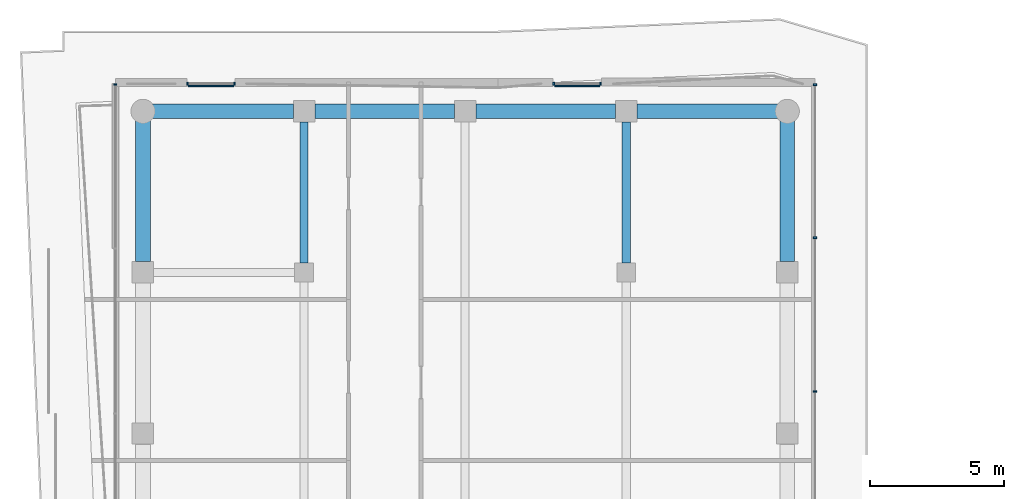
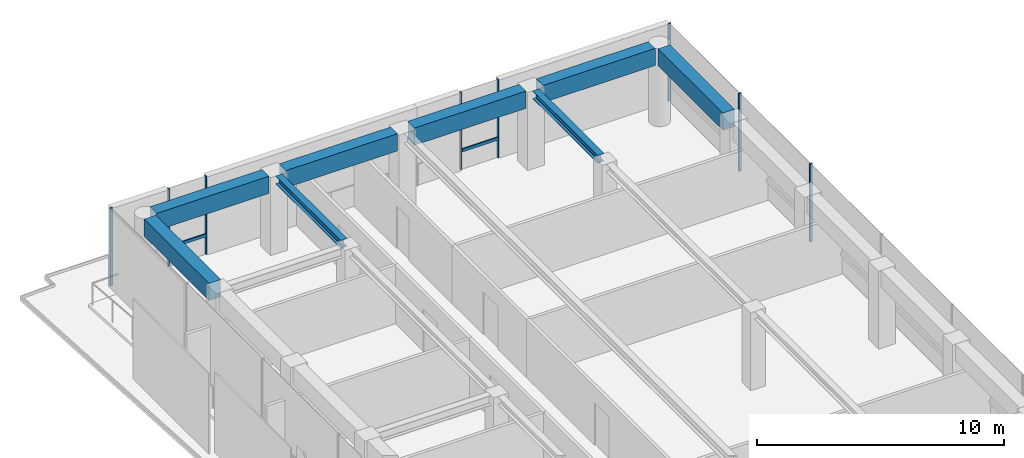
# One storey, part 15 of 21: 10 members, 8 beams, 4 elements without a shape of their own.
"""IFC4 building model written with IfcOpenShell, lengths in metres."""

import ifcopenshell
import ifcopenshell.guid

model = None  # the IFC model being written
_history = None  # IfcOwnerHistory: only IFC2X3 demands one
_inside = {}  # id of a spatial element -> (the spatial element, [elements in it])
_under = {}  # id of a project, library or spatial element -> (it, [spatial elements below it])
_declared = {}  # id of a project -> (the project, [libraries it declares])
_typed = {}  # id of a type object -> (the type object, [elements of that type])
_made_of = {}  # id of a material, layer set ... -> (it, [elements and type objects made of it])


def new_model(schema):
    """Start an empty IFC model of exactly this schema.

    Asked for "IFC4X3", IfcOpenShell would pick the latest addendum, in which some entities
    have other attributes; the version numbers below select the first issue.
    IFC2X3 requires an IfcOwnerHistory on every rooted entity: one is made here for all.
    """
    global model, _history
    if schema == "IFC4X3":
        model = ifcopenshell.file(schema_version=(4, 3, 0, 0))
    else:
        model = ifcopenshell.file(schema=schema)
    _inside.clear()
    _under.clear()
    _declared.clear()
    _typed.clear()
    _made_of.clear()
    _history = None
    if model.schema == "IFC2X3":
        org = make("IfcOrganization", Name="unknown")
        user = make(
            "IfcPersonAndOrganization",
            ThePerson=make("IfcPerson", FamilyName="unknown"),
            TheOrganization=org,
        )
        app = make(
            "IfcApplication",
            ApplicationDeveloper=org,
            Version="unknown",
            ApplicationFullName="unknown",
            ApplicationIdentifier="unknown",
        )
        _history = make(
            "IfcOwnerHistory",
            OwningUser=user,
            OwningApplication=app,
            ChangeAction="ADDED",
            CreationDate=0,
        )
    return model


def make(cls, **values):
    """One entity of the class cls with the attributes given. An attribute that is None is left unset."""
    return model.create_entity(
        cls, **{name: value for name, value in values.items() if value is not None}
    )


def rooted(cls, **values):
    """An entity with a GlobalId (a new one), such as an element, a storey or a relation."""
    return make(cls, GlobalId=ifcopenshell.guid.new(), OwnerHistory=_history, **values)


def si_unit(unit_type, name, prefix=None):
    """IfcSIUnit, for example si_unit("LENGTHUNIT", "METRE", prefix="MILLI")."""
    return make("IfcSIUnit", UnitType=unit_type, Prefix=prefix, Name=name)


def assignment(units):
    """IfcUnitAssignment: the units of a project."""
    return None if units is None else make("IfcUnitAssignment", Units=units)


def point(xyz):
    """IfcCartesianPoint."""
    return None if xyz is None else make("IfcCartesianPoint", Coordinates=xyz)


def direction(xyz):
    """IfcDirection."""
    return None if xyz is None else make("IfcDirection", DirectionRatios=xyz)


def frame(location, z_axis=None, x_axis=None):
    """IfcAxis2Placement3D, a coordinate frame: its origin and axes. An axis left out is left unset."""
    return make(
        "IfcAxis2Placement3D",
        Location=point(location),
        Axis=direction(z_axis),
        RefDirection=direction(x_axis),
    )


def frame_2d(location, x_axis=None):
    """IfcAxis2Placement2D, a coordinate frame in the plane: its origin and x axis."""
    return make(
        "IfcAxis2Placement2D", Location=point(location), RefDirection=direction(x_axis)
    )


def origin():
    """The frame at (0, 0, 0) with its axes left unset."""
    return frame((0.0, 0.0, 0.0))


def origin_2d():
    """The frame at (0, 0) in the plane with its x axis left unset."""
    return frame_2d((0.0, 0.0))


def place(relative_to, where):
    """IfcLocalPlacement: puts the frame where relative to a parent placement (None: the world)."""
    return make(
        "IfcLocalPlacement", PlacementRelTo=relative_to, RelativePlacement=where
    )


def context(
    kind, dimensions, precision=None, world=None, true_north=None, identifier=None
):
    """IfcGeometricRepresentationContext, for example the 3D "Model" context."""
    return make(
        "IfcGeometricRepresentationContext",
        ContextIdentifier=identifier,
        ContextType=kind,
        CoordinateSpaceDimension=dimensions,
        Precision=precision,
        WorldCoordinateSystem=world,
        TrueNorth=true_north,
    )


def subcontext(parent, identifier, kind, view, scale=None):
    """IfcGeometricRepresentationSubContext, for example "Body" below "Model"."""
    return make(
        "IfcGeometricRepresentationSubContext",
        ContextIdentifier=identifier,
        ContextType=kind,
        ParentContext=parent,
        TargetScale=scale,
        TargetView=view,
    )


def project(units=None, contexts=None):
    """IfcProject with its units and contexts."""
    return rooted(
        "IfcProject",
        Name="project",
        RepresentationContexts=contexts,
        UnitsInContext=assignment(units),
    )


def spatial(cls, under=None, at=None, **own):
    """A site, building, storey or space (cls), placed at a placement, below another one or the project."""
    s = rooted(cls, ObjectPlacement=at, **own)
    if under is not None:
        _under.setdefault(under.id(), (under, []))[1].append(s)
    return s


def profile(cls, at=None, kind="AREA", **sizes):
    """A parametric profile (cls). Its sizes go by their IFC names, for example OverallWidth=200.0."""
    return make(cls, ProfileType=kind, Position=at, **sizes)


def rectangle(**sizes):
    """IfcRectangleProfileDef."""
    return profile("IfcRectangleProfileDef", **sizes)


def i_section(**sizes):
    """IfcIShapeProfileDef."""
    return profile("IfcIShapeProfileDef", **sizes)


def extrude(swept, where, along, depth):
    """IfcExtrudedAreaSolid: the profile swept, set in the frame where, extruded along a direction by depth."""
    return make(
        "IfcExtrudedAreaSolid",
        SweptArea=swept,
        Position=where,
        ExtrudedDirection=direction(along),
        Depth=depth,
    )


def shape(context_of_items, identifier, shape_type, items):
    """IfcShapeRepresentation: the items that make up one representation, for example the "Body"."""
    return make(
        "IfcShapeRepresentation",
        ContextOfItems=context_of_items,
        RepresentationIdentifier=identifier,
        RepresentationType=shape_type,
        Items=items,
    )


def material(Name=None, Category=None):
    """IfcMaterial."""
    return make("IfcMaterial", Name=Name, Category=Category)


def layer(
    of_material, thickness, ventilated=None, Name=None, Category=None, Priority=None
):
    """IfcMaterialLayer: one layer of a wall or slab, of a material (None: an air gap)."""
    return make(
        "IfcMaterialLayer",
        Material=of_material,
        LayerThickness=thickness,
        IsVentilated=ventilated,
        Name=Name,
        Category=Category,
        Priority=Priority,
    )


def layer_set(layers, Name=None):
    """IfcMaterialLayerSet."""
    return make("IfcMaterialLayerSet", MaterialLayers=layers, LayerSetName=Name)


def material_profile(
    of_material, cross_section, Name=None, Category=None, Priority=None
):
    """IfcMaterialProfile: a cross section and its material."""
    return make(
        "IfcMaterialProfile",
        Name=Name,
        Material=of_material,
        Profile=cross_section,
        Priority=Priority,
        Category=Category,
    )


def profile_set(profiles, Name=None, composite=None):
    """IfcMaterialProfileSet."""
    return make(
        "IfcMaterialProfileSet",
        Name=Name,
        MaterialProfiles=profiles,
        CompositeProfile=composite,
    )


def made_of(thing, what):
    """Note that an element or type object is made of a material, layer set ...; save() writes the relation."""
    if what is not None:
        _made_of.setdefault(what.id(), (what, []))[1].append(thing)
    return thing


def type_object(cls, material=None, **own):
    """A type object (cls), such as IfcWallType, which elements share."""
    return made_of(rooted(cls, **own), material)


def element(
    cls,
    number,
    at=None,
    inside=None,
    cuts=None,
    type_object=None,
    material=None,
    context=None,
    identifier="Body",
    shape_type=None,
    held_by="IfcProductDefinitionShape",
    body=None,
    shapes=None,
    **own,
):
    """One element of the class cls, such as IfcWall. Its Tag is "e" and its number.

    at: its placement. inside: the storey or other place that contains it. cuts: it is an
    opening in that element (IfcRelVoidsElement). A single representation is given by context,
    identifier, shape_type and body (its items); several are given by shapes. held_by: the class
    of the entity that holds the representations. save() writes the other relations.
    """
    e = rooted(cls, Tag="e%d" % number, ObjectPlacement=at, **own)
    if body is not None:
        shapes = [shape(context, identifier, shape_type, body)]
    if shapes is not None:
        e.Representation = make(held_by, Representations=shapes)
    if inside is not None:
        _inside.setdefault(inside.id(), (inside, []))[1].append(e)
    if cuts is not None:
        rooted(
            "IfcRelVoidsElement", RelatingBuildingElement=cuts, RelatedOpeningElement=e
        )
    if type_object is not None:
        _typed.setdefault(type_object.id(), (type_object, []))[1].append(e)
    return made_of(e, material)


def aggregate(whole, parts):
    """IfcRelAggregates: a whole, such as a stair, and the parts it consists of."""
    return rooted("IfcRelAggregates", RelatingObject=whole, RelatedObjects=parts)


def save(model, path):
    """Write the relations noted so far, then the file.

    IfcRelAggregates (storeys below a building ...), IfcRelContainedInSpatialStructure (elements
    in a storey), IfcRelDefinesByType, IfcRelAssociatesMaterial and IfcRelDeclares: one each for
    every whole, place, type object, material and project.
    """
    for whole, parts in _under.values():
        aggregate(whole, parts)
    for where, things in _inside.values():
        rooted(
            "IfcRelContainedInSpatialStructure",
            RelatedElements=things,
            RelatingStructure=where,
        )
    for kind, things in _typed.values():
        rooted("IfcRelDefinesByType", RelatedObjects=things, RelatingType=kind)
    for what, things in _made_of.values():
        rooted("IfcRelAssociatesMaterial", RelatedObjects=things, RelatingMaterial=what)
    for by, libraries in _declared.values():
        rooted("IfcRelDeclares", RelatingContext=by, RelatedDefinitions=libraries)
    model.write(path)


model = new_model("IFC4")

# Units and contexts
model_context = context("Model", 3, precision=1e-05, world=origin(), true_north=direction((0.0, 1.0)))
body_context = subcontext(model_context, "Body", "Model", "MODEL_VIEW")
ifc_project = project(units=[si_unit("LENGTHUNIT", "METRE"), si_unit("AREAUNIT", "SQUARE_METRE"), si_unit("VOLUMEUNIT", "CUBIC_METRE"), si_unit("PLANEANGLEUNIT", "RADIAN"), si_unit("MASSUNIT", "GRAM", prefix="KILO")], contexts=[model_context])

# Site, building, storey
site_placement = place(None, origin())
site = spatial("IfcSite", under=ifc_project, at=site_placement, CompositionType="ELEMENT")
building_placement = place(site_placement, origin())
building = spatial("IfcBuilding", under=site, at=building_placement, Name="Welwitschia Terrace Campus", CompositionType="ELEMENT")
storey_placement = place(building_placement, frame((0.0, 0.0, 218.0)))
storey = spatial("IfcBuildingStorey", under=building, at=storey_placement, Name="L48", CompositionType="ELEMENT", Elevation=218.0)

# Beams
ifc_material_1 = material(Name="Steel S355", Category="steel")
ifc_material_profile_1 = material_profile(ifc_material_1, i_section(OverallWidth=0.300048828125, OverallDepth=0.389892578125, WebThickness=0.010986328125, FlangeThickness=0.01904296875, FilletRadius=0.027099609375, at=origin_2d()))
ifc_profile_set_1 = profile_set([ifc_material_profile_1], Name="Steel S355")
beam_type_1 = type_object("IfcBeamType", Name="Interior girder HE 400 A", PredefinedType="BEAM", material=ifc_profile_set_1)
for number, where, z_axis, x_axis, name in (
    (1, (6.0, 64.3505859375, 3.655029296875), (0.0, 1.0, 0.0), (-1.0, 0.0, 0.0), "Girder GB5"),
    (2, (18.0, 64.3505859375, 3.655029296875), (0.0, 1.0, 0.0), (-1.0, 0.0, 0.0), "Girder GB5"),
):
    element("IfcBeam", number, at=place(storey_placement, frame(where, z_axis=z_axis, x_axis=x_axis)), inside=storey, type_object=beam_type_1, Name=name, PredefinedType="BEAM", context=body_context, shape_type="SweptSolid", body=[
        extrude(i_section(OverallWidth=0.300048828125, OverallDepth=0.389892578125, WebThickness=0.010986328125, FlangeThickness=0.01904296875, FilletRadius=0.027099609375, at=origin_2d()), origin(), (0.0, 0.0, 1.0), 5.259033203125),
    ])

# Curtain wall, members
ifc_material_2 = material(Name="Bronze anodised aluminium", Category="aluminium")
ifc_layer = layer(ifc_material_2, 0.1201171875)
ifc_layer_set = layer_set([ifc_layer], Name="Bronze anodised aluminium")
curtain_wall_type = type_object("IfcCurtainWallType", Name="Curtain wall CW2 tower 6000", PredefinedType="NOTDEFINED", material=ifc_layer_set)
curtain_wall_1_placement = place(storey_placement, origin())
curtain_wall_1 = element("IfcCurtainWall", 3, at=curtain_wall_1_placement, inside=storey, type_object=curtain_wall_type, Name="CW L48.6.0", PredefinedType="NOTDEFINED")
ifc_material_3 = material(Name="Bronze anodised aluminium", Category="aluminium")
ifc_material_profile_2 = material_profile(ifc_material_3, rectangle(XDim=0.1201171875, YDim=0.06005859375, at=origin_2d()))
ifc_profile_set_2 = profile_set([ifc_material_profile_2], Name="Bronze anodised aluminium")
member_type_1 = type_object("IfcMemberType", Name="Mullion 60x120", PredefinedType="MULLION", material=ifc_profile_set_2)
member_1_placement = place(storey_placement, frame((25.030029296875, 59.55810546875, 0.0), z_axis=(0.0, 0.0, 1.0), x_axis=(-1.0, 0.0, 0.0)))
member_1 = element("IfcMember", 4, at=member_1_placement, type_object=member_type_1, Name="Mullion L48.6.0.4", PredefinedType="MULLION", context=body_context, shape_type="SweptSolid", body=[
    extrude(rectangle(XDim=0.1201171875, YDim=0.06005859375, at=origin_2d()), origin(), (0.0, 0.0, 1.0), 3.85009765625),
])
member_2_placement = place(storey_placement, frame((25.030029296875, 65.290283203125, 0.0), z_axis=(0.0, 0.0, 1.0), x_axis=(-1.0, 0.0, 0.0)))
member_2 = element("IfcMember", 5, at=member_2_placement, type_object=member_type_1, Name="Mullion L48.6.0.5", PredefinedType="MULLION", context=body_context, shape_type="SweptSolid", body=[
    extrude(rectangle(XDim=0.1201171875, YDim=0.06005859375, at=origin_2d()), origin(), (0.0, 0.0, 1.0), 3.85009765625),
])
member_3_placement = place(storey_placement, frame((25.030029296875, 70.992431640625, 0.0), z_axis=(0.0, 0.0, 1.0), x_axis=(-1.0, 0.0, 0.0)))
member_3 = element("IfcMember", 6, at=member_3_placement, type_object=member_type_1, Name="Mullion L48.6.0.6", PredefinedType="MULLION", context=body_context, shape_type="SweptSolid", body=[
    extrude(rectangle(XDim=0.1201171875, YDim=0.06005859375, at=origin_2d()), origin(), (0.0, 0.0, 1.0), 3.85009765625),
])
aggregate(curtain_wall_1, [member_1, member_2, member_3])

curtain_wall_2_placement = place(storey_placement, origin())
curtain_wall_2 = element("IfcCurtainWall", 7, at=curtain_wall_2_placement, inside=storey, type_object=curtain_wall_type, Name="CW L48.7.S0", PredefinedType="NOTDEFINED")
member_4_placement = place(storey_placement, frame((17.040283203125, 71.027587890625, 0.0), z_axis=(0.0, 0.0, 1.0), x_axis=(-0.000640473955, -0.999999794897, 0.0)))
member_4 = element("IfcMember", 8, at=member_4_placement, type_object=member_type_1, Name="Mullion L48.7.S0.0", PredefinedType="MULLION", context=body_context, shape_type="SweptSolid", body=[
    extrude(rectangle(XDim=0.1201171875, YDim=0.06005859375, at=origin_2d()), origin(), (0.0, 0.0, 1.0), 3.85009765625),
])
member_5_placement = place(storey_placement, frame((15.30029296875, 71.028564453125, 0.0), z_axis=(0.0, 0.0, 1.0), x_axis=(-0.000640473955, -0.999999794897, 0.0)))
member_5 = element("IfcMember", 9, at=member_5_placement, type_object=member_type_1, Name="Mullion L48.7.S0.1", PredefinedType="MULLION", context=body_context, shape_type="SweptSolid", body=[
    extrude(rectangle(XDim=0.1201171875, YDim=0.06005859375, at=origin_2d()), origin(), (0.0, 0.0, 1.0), 3.85009765625),
])

curtain_wall_3_placement = place(storey_placement, origin())
curtain_wall_3 = element("IfcCurtainWall", 10, at=curtain_wall_3_placement, inside=storey, type_object=curtain_wall_type, Name="CW L48.8.S0", PredefinedType="NOTDEFINED")
member_6_placement = place(storey_placement, frame((3.40185546875, 71.030029296875, 0.0), z_axis=(0.0, 0.0, 1.0), x_axis=(0.0, -1.0, 0.0)))
member_6 = element("IfcMember", 11, at=member_6_placement, type_object=member_type_1, Name="Mullion L48.8.S0.0", PredefinedType="MULLION", context=body_context, shape_type="SweptSolid", body=[
    extrude(rectangle(XDim=0.1201171875, YDim=0.06005859375, at=origin_2d()), origin(), (0.0, 0.0, 1.0), 3.85009765625),
])
member_7_placement = place(storey_placement, frame((1.661865234375, 71.030029296875, 0.0), z_axis=(0.0, 0.0, 1.0), x_axis=(0.0, -1.0, 0.0)))
member_7 = element("IfcMember", 12, at=member_7_placement, type_object=member_type_1, Name="Mullion L48.8.S0.1", PredefinedType="MULLION", context=body_context, shape_type="SweptSolid", body=[
    extrude(rectangle(XDim=0.1201171875, YDim=0.06005859375, at=origin_2d()), origin(), (0.0, 0.0, 1.0), 3.85009765625),
])

# Curtain wall, member
curtain_wall_4_placement = place(storey_placement, origin())
curtain_wall_4 = element("IfcCurtainWall", 13, at=curtain_wall_4_placement, inside=storey, type_object=curtain_wall_type, Name="CW L48.9.0", PredefinedType="NOTDEFINED")
member_8_placement = place(storey_placement, frame((-1.030029296875, 71.0, 0.0), z_axis=(0.0, 0.0, 1.0), x_axis=(1.0, 0.0, 0.0)))
member_8 = element("IfcMember", 14, at=member_8_placement, type_object=member_type_1, Name="Mullion L48.9.0.0", PredefinedType="MULLION", context=body_context, shape_type="SweptSolid", body=[
    extrude(rectangle(XDim=0.1201171875, YDim=0.06005859375, at=origin_2d()), origin(), (0.0, 0.0, 1.0), 3.85009765625),
])
aggregate(curtain_wall_4, [member_8])

# Beams
ifc_material_4 = material(Name="Concrete C50/60", Category="concrete")
ifc_material_profile_3 = material_profile(ifc_material_4, rectangle(XDim=0.550048828125, YDim=0.85009765625, at=origin_2d()))
ifc_profile_set_3 = profile_set([ifc_material_profile_3], Name="Concrete C50/60")
beam_type_2 = type_object("IfcBeamType", Name="Ring spandrel 550x850", PredefinedType="SPANDREL", material=ifc_profile_set_3)
for number, where, z_axis, x_axis, name in (
    (15, (24.0, 64.400390625, 3.425048828125), (0.0, 1.0, 0.0), (-1.0, 0.0, 0.0), "Spandrel SP3"),
    (16, (23.64306640625, 70.0, 3.425048828125), (-1.0, 0.0, 0.0), (0.0, -1.0, 0.0), "Spandrel SP3"),
):
    element("IfcBeam", number, at=place(storey_placement, frame(where, z_axis=z_axis, x_axis=x_axis)), inside=storey, type_object=beam_type_2, Name=name, PredefinedType="SPANDREL", context=body_context, shape_type="SweptSolid", body=[
        extrude(rectangle(XDim=0.550048828125, YDim=0.85009765625, at=origin_2d()), origin(), (0.0, 0.0, 1.0), 5.24267578125),
    ])
for number, where, z_axis, x_axis, name in (
    (17, (17.599609375, 70.0, 3.425048828125), (-1.0, 0.0, 0.0), (0.0, -1.0, 0.0), "Spandrel SP3"),
    (18, (11.599609375, 70.0, 3.425048828125), (-1.0, 0.0, 0.0), (0.0, -1.0, 0.0), "Spandrel SP3"),
):
    element("IfcBeam", number, at=place(storey_placement, frame(where, z_axis=z_axis, x_axis=x_axis)), inside=storey, type_object=beam_type_2, Name=name, PredefinedType="SPANDREL", context=body_context, shape_type="SweptSolid", body=[
        extrude(rectangle(XDim=0.550048828125, YDim=0.85009765625, at=origin_2d()), origin(), (0.0, 0.0, 1.0), 5.19921875),
    ])
for number, where, z_axis, x_axis, name in (
    (19, (5.599609375, 70.0, 3.425048828125), (-1.0, 0.0, 0.0), (0.0, -1.0, 0.0), "Spandrel SP3"),
    (20, (0.0, 69.64306640625, 3.425048828125), (0.0, -1.0, 0.0), (1.0, 0.0, 0.0), "Spandrel SP3"),
):
    element("IfcBeam", number, at=place(storey_placement, frame(where, z_axis=z_axis, x_axis=x_axis)), inside=storey, type_object=beam_type_2, Name=name, PredefinedType="SPANDREL", context=body_context, shape_type="SweptSolid", body=[
        extrude(rectangle(XDim=0.550048828125, YDim=0.85009765625, at=origin_2d()), origin(), (0.0, 0.0, 1.0), 5.24267578125),
    ])

# Member
ifc_material_5 = material(Name="Bronze anodised aluminium", Category="aluminium")
ifc_material_profile_4 = material_profile(ifc_material_5, rectangle(XDim=0.06005859375, YDim=0.14990234375, at=origin_2d()))
ifc_profile_set_4 = profile_set([ifc_material_profile_4], Name="Bronze anodised aluminium")
member_type_2 = type_object("IfcMemberType", Name="Transom 60x150", PredefinedType="USERDEFINED", material=ifc_profile_set_4)
member_9_placement = place(storey_placement, frame((17.01025390625, 70.9375, 1.0), z_axis=(-0.999999735998, 0.000726638378, 0.0), x_axis=(-0.000726638378, -0.999999735998, 0.0)))
member_9 = element("IfcMember", 21, at=member_9_placement, type_object=member_type_2, Name="Transom L48.7.S0", ObjectType="TRANSOM", PredefinedType="USERDEFINED", context=body_context, shape_type="SweptSolid", body=[
    extrude(rectangle(XDim=0.06005859375, YDim=0.14990234375, at=origin_2d()), origin(), (0.0, 0.0, 1.0), 1.679931640625),
])

aggregate(curtain_wall_2, [member_4, member_5, member_9])

member_10_placement = place(storey_placement, frame((3.371826171875, 70.93994140625, 1.0), z_axis=(-1.0, 0.0, 0.0), x_axis=(0.0, -1.0, 0.0)))
member_10 = element("IfcMember", 22, at=member_10_placement, type_object=member_type_2, Name="Transom L48.8.S0", ObjectType="TRANSOM", PredefinedType="USERDEFINED", context=body_context, shape_type="SweptSolid", body=[
    extrude(rectangle(XDim=0.06005859375, YDim=0.14990234375, at=origin_2d()), origin(), (0.0, 0.0, 1.0), 1.679931640625),
])

aggregate(curtain_wall_3, [member_6, member_7, member_10])

save(model, "model.ifc")
